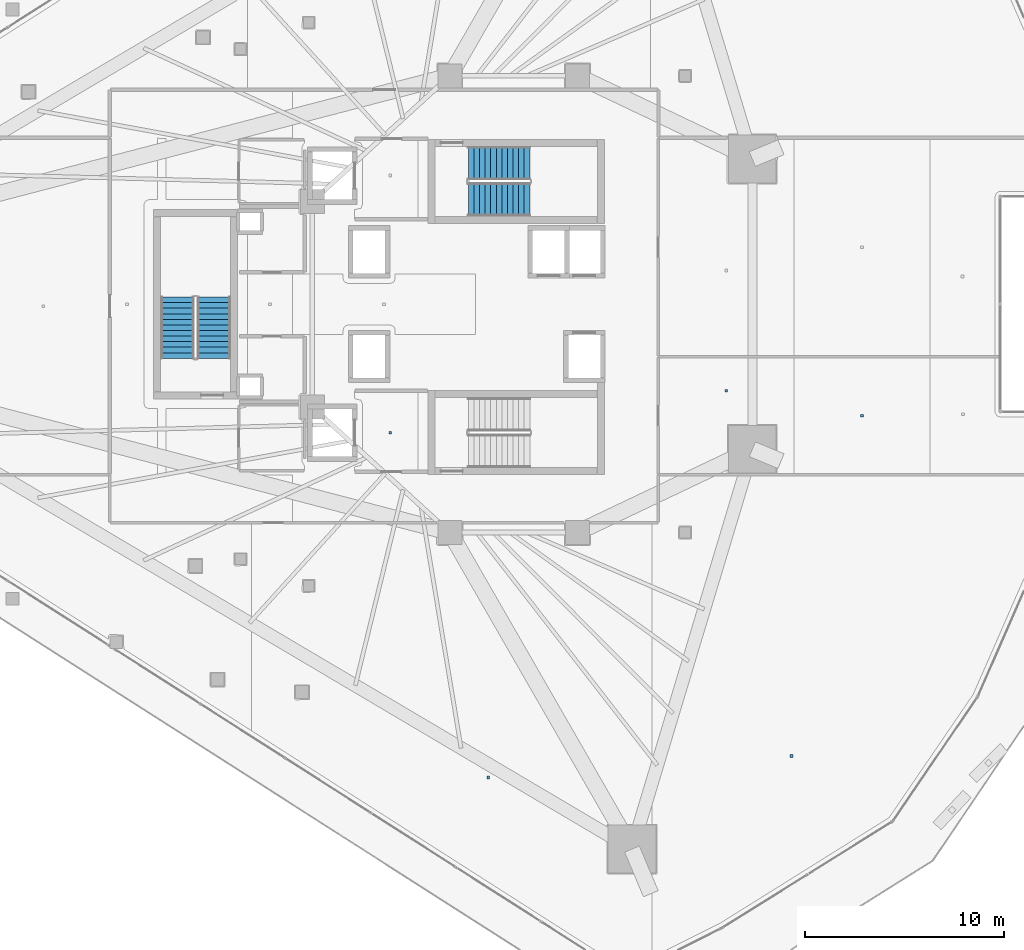
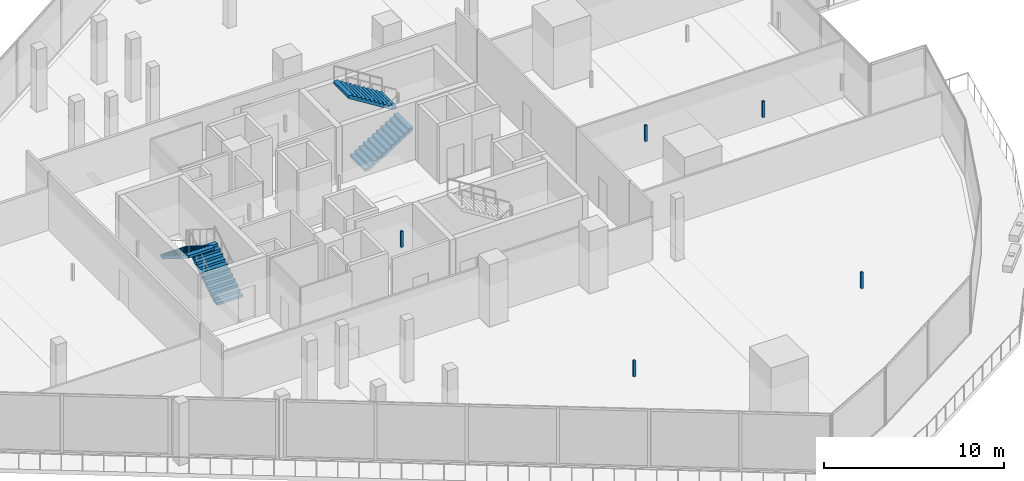
# One storey, part 31 of 42: 5 discrete accessories, 4 stair flights, 2 elements without a shape of their own.
"""IFC4 building model written with IfcOpenShell, lengths in metres."""

import ifcopenshell
import ifcopenshell.guid

model = None  # the IFC model being written
_history = None  # IfcOwnerHistory: only IFC2X3 demands one
_inside = {}  # id of a spatial element -> (the spatial element, [elements in it])
_under = {}  # id of a project, library or spatial element -> (it, [spatial elements below it])
_declared = {}  # id of a project -> (the project, [libraries it declares])
_typed = {}  # id of a type object -> (the type object, [elements of that type])
_made_of = {}  # id of a material, layer set ... -> (it, [elements and type objects made of it])


def new_model(schema):
    """Start an empty IFC model of exactly this schema.

    Asked for "IFC4X3", IfcOpenShell would pick the latest addendum, in which some entities
    have other attributes; the version numbers below select the first issue.
    IFC2X3 requires an IfcOwnerHistory on every rooted entity: one is made here for all.
    """
    global model, _history
    if schema == "IFC4X3":
        model = ifcopenshell.file(schema_version=(4, 3, 0, 0))
    else:
        model = ifcopenshell.file(schema=schema)
    _inside.clear()
    _under.clear()
    _declared.clear()
    _typed.clear()
    _made_of.clear()
    _history = None
    if model.schema == "IFC2X3":
        org = make("IfcOrganization", Name="unknown")
        user = make(
            "IfcPersonAndOrganization",
            ThePerson=make("IfcPerson", FamilyName="unknown"),
            TheOrganization=org,
        )
        app = make(
            "IfcApplication",
            ApplicationDeveloper=org,
            Version="unknown",
            ApplicationFullName="unknown",
            ApplicationIdentifier="unknown",
        )
        _history = make(
            "IfcOwnerHistory",
            OwningUser=user,
            OwningApplication=app,
            ChangeAction="ADDED",
            CreationDate=0,
        )
    return model


def make(cls, **values):
    """One entity of the class cls with the attributes given. An attribute that is None is left unset."""
    return model.create_entity(
        cls, **{name: value for name, value in values.items() if value is not None}
    )


def rooted(cls, **values):
    """An entity with a GlobalId (a new one), such as an element, a storey or a relation."""
    return make(cls, GlobalId=ifcopenshell.guid.new(), OwnerHistory=_history, **values)


def si_unit(unit_type, name, prefix=None):
    """IfcSIUnit, for example si_unit("LENGTHUNIT", "METRE", prefix="MILLI")."""
    return make("IfcSIUnit", UnitType=unit_type, Prefix=prefix, Name=name)


def assignment(units):
    """IfcUnitAssignment: the units of a project."""
    return None if units is None else make("IfcUnitAssignment", Units=units)


def point(xyz):
    """IfcCartesianPoint."""
    return None if xyz is None else make("IfcCartesianPoint", Coordinates=xyz)


def direction(xyz):
    """IfcDirection."""
    return None if xyz is None else make("IfcDirection", DirectionRatios=xyz)


def frame(location, z_axis=None, x_axis=None):
    """IfcAxis2Placement3D, a coordinate frame: its origin and axes. An axis left out is left unset."""
    return make(
        "IfcAxis2Placement3D",
        Location=point(location),
        Axis=direction(z_axis),
        RefDirection=direction(x_axis),
    )


def frame_2d(location, x_axis=None):
    """IfcAxis2Placement2D, a coordinate frame in the plane: its origin and x axis."""
    return make(
        "IfcAxis2Placement2D", Location=point(location), RefDirection=direction(x_axis)
    )


def origin():
    """The frame at (0, 0, 0) with its axes left unset."""
    return frame((0.0, 0.0, 0.0))


def origin_2d():
    """The frame at (0, 0) in the plane with its x axis left unset."""
    return frame_2d((0.0, 0.0))


def place(relative_to, where):
    """IfcLocalPlacement: puts the frame where relative to a parent placement (None: the world)."""
    return make(
        "IfcLocalPlacement", PlacementRelTo=relative_to, RelativePlacement=where
    )


def context(
    kind, dimensions, precision=None, world=None, true_north=None, identifier=None
):
    """IfcGeometricRepresentationContext, for example the 3D "Model" context."""
    return make(
        "IfcGeometricRepresentationContext",
        ContextIdentifier=identifier,
        ContextType=kind,
        CoordinateSpaceDimension=dimensions,
        Precision=precision,
        WorldCoordinateSystem=world,
        TrueNorth=true_north,
    )


def subcontext(parent, identifier, kind, view, scale=None):
    """IfcGeometricRepresentationSubContext, for example "Body" below "Model"."""
    return make(
        "IfcGeometricRepresentationSubContext",
        ContextIdentifier=identifier,
        ContextType=kind,
        ParentContext=parent,
        TargetScale=scale,
        TargetView=view,
    )


def project(units=None, contexts=None):
    """IfcProject with its units and contexts."""
    return rooted(
        "IfcProject",
        Name="project",
        RepresentationContexts=contexts,
        UnitsInContext=assignment(units),
    )


def spatial(cls, under=None, at=None, **own):
    """A site, building, storey or space (cls), placed at a placement, below another one or the project."""
    s = rooted(cls, ObjectPlacement=at, **own)
    if under is not None:
        _under.setdefault(under.id(), (under, []))[1].append(s)
    return s


def polyline(points):
    """IfcPolyline through the points."""
    return make("IfcPolyline", Points=[point(p) for p in points])


def profile(cls, at=None, kind="AREA", **sizes):
    """A parametric profile (cls). Its sizes go by their IFC names, for example OverallWidth=200.0."""
    return make(cls, ProfileType=kind, Position=at, **sizes)


def rectangle(**sizes):
    """IfcRectangleProfileDef."""
    return profile("IfcRectangleProfileDef", **sizes)


def outline(outer, holes=None, kind="AREA"):
    """IfcArbitraryClosedProfileDef: a profile drawn as a closed curve; with holes, ...WithVoids."""
    if holes is None:
        return make("IfcArbitraryClosedProfileDef", ProfileType=kind, OuterCurve=outer)
    return make(
        "IfcArbitraryProfileDefWithVoids",
        ProfileType=kind,
        OuterCurve=outer,
        InnerCurves=holes,
    )


def extrude(swept, where, along, depth):
    """IfcExtrudedAreaSolid: the profile swept, set in the frame where, extruded along a direction by depth."""
    return make(
        "IfcExtrudedAreaSolid",
        SweptArea=swept,
        Position=where,
        ExtrudedDirection=direction(along),
        Depth=depth,
    )


def shape(context_of_items, identifier, shape_type, items):
    """IfcShapeRepresentation: the items that make up one representation, for example the "Body"."""
    return make(
        "IfcShapeRepresentation",
        ContextOfItems=context_of_items,
        RepresentationIdentifier=identifier,
        RepresentationType=shape_type,
        Items=items,
    )


def material(Name=None, Category=None):
    """IfcMaterial."""
    return make("IfcMaterial", Name=Name, Category=Category)


def layer(
    of_material, thickness, ventilated=None, Name=None, Category=None, Priority=None
):
    """IfcMaterialLayer: one layer of a wall or slab, of a material (None: an air gap)."""
    return make(
        "IfcMaterialLayer",
        Material=of_material,
        LayerThickness=thickness,
        IsVentilated=ventilated,
        Name=Name,
        Category=Category,
        Priority=Priority,
    )


def layer_set(layers, Name=None):
    """IfcMaterialLayerSet."""
    return make("IfcMaterialLayerSet", MaterialLayers=layers, LayerSetName=Name)


def made_of(thing, what):
    """Note that an element or type object is made of a material, layer set ...; save() writes the relation."""
    if what is not None:
        _made_of.setdefault(what.id(), (what, []))[1].append(thing)
    return thing


def type_object(cls, material=None, **own):
    """A type object (cls), such as IfcWallType, which elements share."""
    return made_of(rooted(cls, **own), material)


def element(
    cls,
    number,
    at=None,
    inside=None,
    cuts=None,
    type_object=None,
    material=None,
    context=None,
    identifier="Body",
    shape_type=None,
    held_by="IfcProductDefinitionShape",
    body=None,
    shapes=None,
    **own,
):
    """One element of the class cls, such as IfcWall. Its Tag is "e" and its number.

    at: its placement. inside: the storey or other place that contains it. cuts: it is an
    opening in that element (IfcRelVoidsElement). A single representation is given by context,
    identifier, shape_type and body (its items); several are given by shapes. held_by: the class
    of the entity that holds the representations. save() writes the other relations.
    """
    e = rooted(cls, Tag="e%d" % number, ObjectPlacement=at, **own)
    if body is not None:
        shapes = [shape(context, identifier, shape_type, body)]
    if shapes is not None:
        e.Representation = make(held_by, Representations=shapes)
    if inside is not None:
        _inside.setdefault(inside.id(), (inside, []))[1].append(e)
    if cuts is not None:
        rooted(
            "IfcRelVoidsElement", RelatingBuildingElement=cuts, RelatedOpeningElement=e
        )
    if type_object is not None:
        _typed.setdefault(type_object.id(), (type_object, []))[1].append(e)
    return made_of(e, material)


def aggregate(whole, parts):
    """IfcRelAggregates: a whole, such as a stair, and the parts it consists of."""
    return rooted("IfcRelAggregates", RelatingObject=whole, RelatedObjects=parts)


def save(model, path):
    """Write the relations noted so far, then the file.

    IfcRelAggregates (storeys below a building ...), IfcRelContainedInSpatialStructure (elements
    in a storey), IfcRelDefinesByType, IfcRelAssociatesMaterial and IfcRelDeclares: one each for
    every whole, place, type object, material and project.
    """
    for whole, parts in _under.values():
        aggregate(whole, parts)
    for where, things in _inside.values():
        rooted(
            "IfcRelContainedInSpatialStructure",
            RelatedElements=things,
            RelatingStructure=where,
        )
    for kind, things in _typed.values():
        rooted("IfcRelDefinesByType", RelatedObjects=things, RelatingType=kind)
    for what, things in _made_of.values():
        rooted("IfcRelAssociatesMaterial", RelatedObjects=things, RelatingMaterial=what)
    for by, libraries in _declared.values():
        rooted("IfcRelDeclares", RelatingContext=by, RelatedDefinitions=libraries)
    model.write(path)


model = new_model("IFC4")

# Units and contexts
model_context = context("Model", 3, precision=1e-05, world=origin(), true_north=direction((0.0, 1.0)))
body_context = subcontext(model_context, "Body", "Model", "MODEL_VIEW")
ifc_project = project(units=[si_unit("LENGTHUNIT", "METRE"), si_unit("AREAUNIT", "SQUARE_METRE"), si_unit("VOLUMEUNIT", "CUBIC_METRE"), si_unit("PLANEANGLEUNIT", "RADIAN"), si_unit("MASSUNIT", "GRAM", prefix="KILO")], contexts=[model_context])

# Site, building, storey
site_placement = place(None, origin())
site = spatial("IfcSite", under=ifc_project, at=site_placement, CompositionType="ELEMENT")
building_placement = place(site_placement, origin())
building = spatial("IfcBuilding", under=site, at=building_placement, Name="Qorvath Tower", CompositionType="ELEMENT")
storey_placement = place(building_placement, frame((0.0, 0.0, 32.39990234375)))
storey = spatial("IfcBuildingStorey", under=building, at=storey_placement, Name="L06", CompositionType="ELEMENT", Elevation=32.39990234375)

# Stair, stair flights
ifc_material_1 = material(Name="Concrete C50/60", Category="concrete")
stair_type = type_object("IfcStairType", Name="ST-H420", PredefinedType="HALF_TURN_STAIR", material=ifc_material_1)
stair_1_placement = place(storey_placement, origin())
stair_1 = element("IfcStair", 1, at=stair_1_placement, inside=storey, type_object=stair_type, Name="L06 Tower Exit Stair 1", PredefinedType="HALF_TURN_STAIR")
ifc_material_2 = material(Name="Concrete C50/60", Category="concrete")
ifc_layer = layer(ifc_material_2, 0.14990234375)
ifc_layer_set = layer_set([ifc_layer], Name="SF-H420")
stair_flight_type = type_object("IfcStairFlightType", Name="SF-H420", PredefinedType="STRAIGHT", material=ifc_layer_set)
stair_flight_1_placement = place(storey_placement, frame((-22.669921875, 5.239990234375, 0.0), z_axis=(0.0, 0.0, 1.0), x_axis=(1.0, 0.0, 0.0)))
stair_flight_1 = element("IfcStairFlight", 2, at=stair_flight_1_placement, type_object=stair_flight_type, Name="TS1 flight 1", NumberOfRisers=12, NumberOfTreads=11, PredefinedType="STRAIGHT", RiserHeight=0.175, TreadLength=0.28, context=body_context, shape_type="SweptSolid", body=[
    extrude(outline(polyline([(0.0, 0.0), (0.0, 0.175048828125), (0.280029296875, 0.175048828125), (0.280029296875, 0.35009765625), (0.56005859375, 0.35009765625), (0.56005859375, 0.52490234375), (0.840087890625, 0.52490234375), (0.840087890625, 0.699951171875), (1.1201171875, 0.699951171875), (1.1201171875, 0.875), (1.39990234375, 0.875), (1.39990234375, 1.050048828125), (1.679931640625, 1.050048828125), (1.679931640625, 1.22509765625), (1.9599609375, 1.22509765625), (1.9599609375, 1.39990234375), (2.239990234375, 1.39990234375), (2.239990234375, 1.574951171875), (2.52001953125, 1.574951171875), (2.52001953125, 1.75), (2.800048828125, 1.75), (2.800048828125, 1.925048828125), (3.080078125, 1.925048828125), (3.080078125, 2.10009765625), (3.080078125, 1.748291015625), (0.28271484375, 0.0), (0.0, 0.0)])), frame((0.0, 0.83984375, 0.0), z_axis=(0.0, -1.0, 0.0), x_axis=(1.0, 0.0, 0.0)), (0.0, 0.0, 1.0), 1.679931640625),
])
stair_flight_2_placement = place(storey_placement, frame((-19.590087890625, 7.070068359375, 2.10009765625), z_axis=(0.0, 0.0, 1.0), x_axis=(-1.0, 0.0, 0.0)))
stair_flight_2 = element("IfcStairFlight", 3, at=stair_flight_2_placement, type_object=stair_flight_type, Name="TS1 flight 2", NumberOfRisers=12, NumberOfTreads=11, PredefinedType="STRAIGHT", RiserHeight=0.175, TreadLength=0.28, context=body_context, shape_type="SweptSolid", body=[
    extrude(outline(polyline([(0.0, 0.0), (0.0, 0.175048828125), (0.280029296875, 0.175048828125), (0.280029296875, 0.35009765625), (0.56005859375, 0.35009765625), (0.56005859375, 0.52490234375), (0.840087890625, 0.52490234375), (0.840087890625, 0.699951171875), (1.1201171875, 0.699951171875), (1.1201171875, 0.875), (1.39990234375, 0.875), (1.39990234375, 1.050048828125), (1.679931640625, 1.050048828125), (1.679931640625, 1.22509765625), (1.9599609375, 1.22509765625), (1.9599609375, 1.39990234375), (2.239990234375, 1.39990234375), (2.239990234375, 1.574951171875), (2.52001953125, 1.574951171875), (2.52001953125, 1.75), (2.800048828125, 1.75), (2.800048828125, 1.925048828125), (3.080078125, 1.925048828125), (3.080078125, 2.10009765625), (3.080078125, 1.748291015625), (0.28271484375, 0.0), (0.0, 0.0)])), frame((0.0, 0.83984375, 0.0), z_axis=(0.0, -1.0, 0.0), x_axis=(1.0, 0.0, 0.0)), (0.0, 0.0, 1.0), 1.679931640625),
])
aggregate(stair_1, [stair_flight_1, stair_flight_2])

stair_2_placement = place(storey_placement, origin())
stair_2 = element("IfcStair", 4, at=stair_2_placement, inside=storey, type_object=stair_type, Name="L06 Tower Exit Stair 3", PredefinedType="HALF_TURN_STAIR")
stair_flight_3_placement = place(storey_placement, frame((-35.43994140625, -2.719970703125, 0.0), z_axis=(0.0, 0.0, 1.0), x_axis=(0.0, 1.0, 0.0)))
stair_flight_3 = element("IfcStairFlight", 5, at=stair_flight_3_placement, type_object=stair_flight_type, Name="TS3 flight 1", NumberOfRisers=12, NumberOfTreads=11, PredefinedType="STRAIGHT", RiserHeight=0.175, TreadLength=0.28, context=body_context, shape_type="SweptSolid", body=[
    extrude(outline(polyline([(0.0, 0.0), (0.0, 0.175048828125), (0.280029296875, 0.175048828125), (0.280029296875, 0.35009765625), (0.56005859375, 0.35009765625), (0.56005859375, 0.52490234375), (0.840087890625, 0.52490234375), (0.840087890625, 0.699951171875), (1.1201171875, 0.699951171875), (1.1201171875, 0.875), (1.39990234375, 0.875), (1.39990234375, 1.050048828125), (1.679931640625, 1.050048828125), (1.679931640625, 1.22509765625), (1.9599609375, 1.22509765625), (1.9599609375, 1.39990234375), (2.239990234375, 1.39990234375), (2.239990234375, 1.574951171875), (2.52001953125, 1.574951171875), (2.52001953125, 1.75), (2.800048828125, 1.75), (2.800048828125, 1.925048828125), (3.080078125, 1.925048828125), (3.080078125, 2.10009765625), (3.080078125, 1.748291015625), (0.28271484375, 0.0), (0.0, 0.0)])), frame((0.0, 0.83984375, 0.0), z_axis=(0.0, -1.0, 0.0), x_axis=(1.0, 0.0, 0.0)), (0.0, 0.0, 1.0), 1.679931640625),
])
stair_flight_4_placement = place(storey_placement, frame((-37.27001953125, 0.360107421875, 2.10009765625), z_axis=(0.0, 0.0, 1.0), x_axis=(0.0, -1.0, 0.0)))
stair_flight_4 = element("IfcStairFlight", 6, at=stair_flight_4_placement, type_object=stair_flight_type, Name="TS3 flight 2", NumberOfRisers=12, NumberOfTreads=11, PredefinedType="STRAIGHT", RiserHeight=0.175, TreadLength=0.28, context=body_context, shape_type="SweptSolid", body=[
    extrude(outline(polyline([(0.0, 0.0), (0.0, 0.175048828125), (0.280029296875, 0.175048828125), (0.280029296875, 0.35009765625), (0.56005859375, 0.35009765625), (0.56005859375, 0.52490234375), (0.840087890625, 0.52490234375), (0.840087890625, 0.699951171875), (1.1201171875, 0.699951171875), (1.1201171875, 0.875), (1.39990234375, 0.875), (1.39990234375, 1.050048828125), (1.679931640625, 1.050048828125), (1.679931640625, 1.22509765625), (1.9599609375, 1.22509765625), (1.9599609375, 1.39990234375), (2.239990234375, 1.39990234375), (2.239990234375, 1.574951171875), (2.52001953125, 1.574951171875), (2.52001953125, 1.75), (2.800048828125, 1.75), (2.800048828125, 1.925048828125), (3.080078125, 1.925048828125), (3.080078125, 2.10009765625), (3.080078125, 1.748291015625), (0.28271484375, 0.0), (0.0, 0.0)])), frame((0.0, 0.83984375, 0.0), z_axis=(0.0, -1.0, 0.0), x_axis=(1.0, 0.0, 0.0)), (0.0, 0.0, 1.0), 1.679931640625),
])
aggregate(stair_2, [stair_flight_3, stair_flight_4])

# Discrete accessories
ifc_material_3 = material(Name="Galvanised steel bracket", Category="steel")
discrete_accessory_type = type_object("IfcDiscreteAccessoryType", Name="DA-BRACKET", PredefinedType="BRACKET", material=ifc_material_3)
for number, where, z_axis, x_axis, name in (
    (7, (-26.590087890625, -6.449951171875, 2.85986328125), (0.0, 0.0, 1.0), (1.0, 0.0, 0.0), "Acoustic Ceiling Suspension Hanger T1-L06-002"),
    (8, (-21.671630859375, -23.73974609375, 2.85986328125), (0.0, 0.0, 1.0), (1.0, 0.0, 0.0), "Acoustic Ceiling Suspension Hanger T1-L06-014"),
    (9, (-6.464111328125, -22.664794921875, 2.85986328125), (0.0, 0.0, 1.0), (1.0, 0.0, 0.0), "Acoustic Ceiling Suspension Hanger T1-L06-015"),
    (10, (-9.7333984375, -4.341064453125, 2.85986328125), (0.0, 0.0, 1.0), (1.0, 0.0, 0.0), "Acoustic Ceiling Suspension Hanger T1-L06-019"),
    (11, (-2.92626953125, -5.592529296875, 2.85986328125), (0.0, 0.0, 1.0), (1.0, 0.0, 0.0), "Acoustic Ceiling Suspension Hanger T1-L06-020"),
):
    element("IfcDiscreteAccessory", number, at=place(storey_placement, frame(where, z_axis=z_axis, x_axis=x_axis)), inside=storey, type_object=discrete_accessory_type, Name=name, PredefinedType="NOTDEFINED", context=body_context, shape_type="SweptSolid", body=[
        extrude(rectangle(XDim=0.139892578125, YDim=0.139892578125, at=origin_2d()), origin(), (0.0, 0.0, 1.0), 1.090087890625),
    ])

save(model, "model.ifc")
